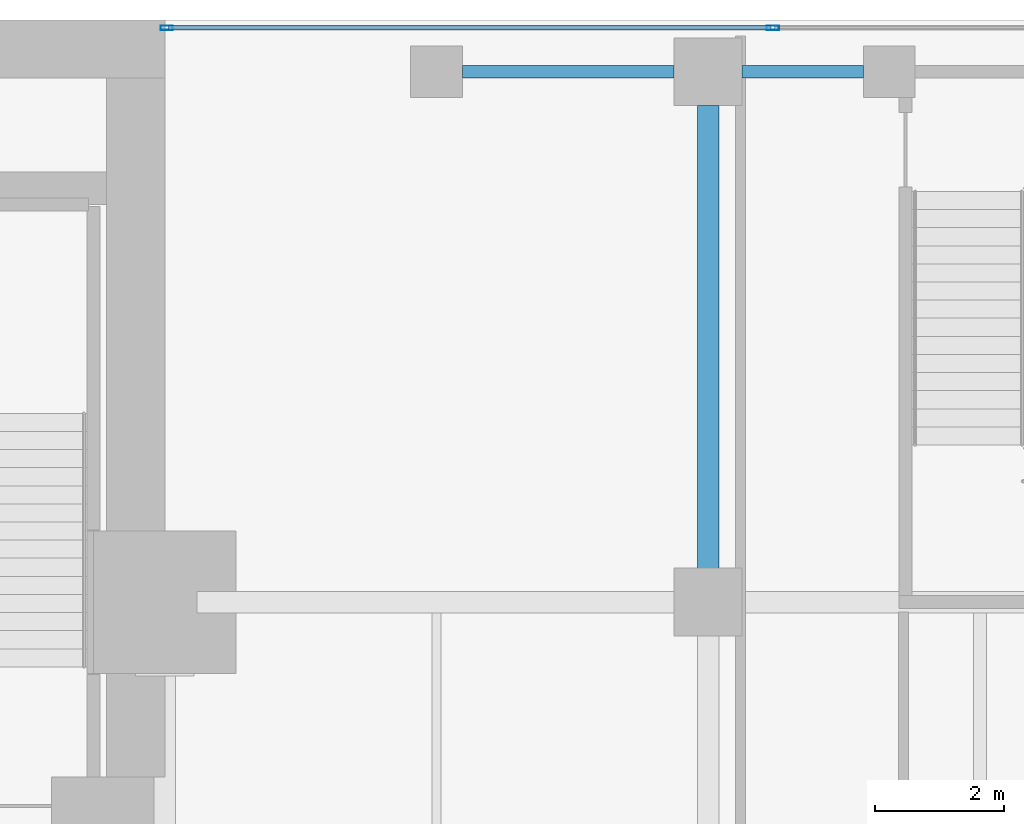
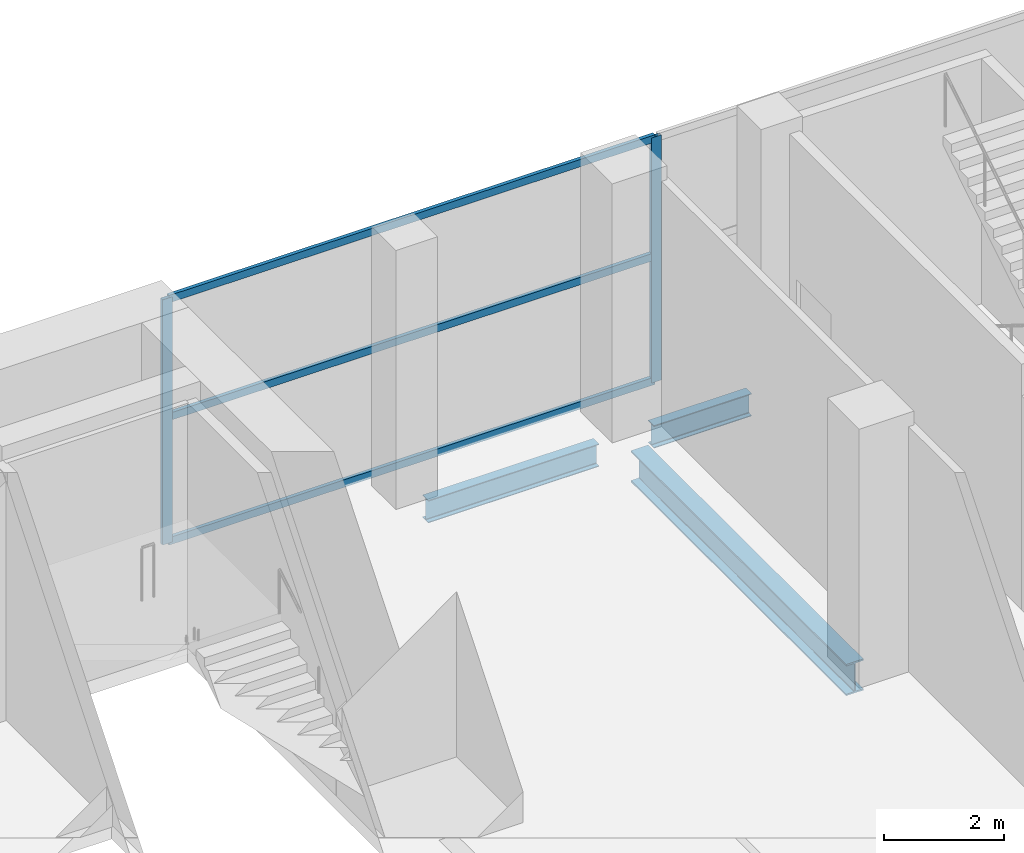
# One storey, part 23 of 40: 5 members, 3 beams, 1 element without a shape of its own.
"""IFC4 building model written with IfcOpenShell, lengths in metres."""

from ifc_helpers import new_model, si_unit, direction, frame, origin, origin_2d, place, context, subcontext, project, spatial, hollow_rectangle, i_section, extrude, material, layer, layer_set, material_profile, profile_set, type_object, element, aggregate, save


model = new_model("IFC4")

# Units and contexts
model_context = context("Model", 3, precision=1e-05, world=origin(), true_north=direction((0.0, 1.0)))
body_context = subcontext(model_context, "Body", "Model", "MODEL_VIEW")
ifc_project = project(units=[si_unit("LENGTHUNIT", "METRE"), si_unit("AREAUNIT", "SQUARE_METRE"), si_unit("VOLUMEUNIT", "CUBIC_METRE"), si_unit("PLANEANGLEUNIT", "RADIAN"), si_unit("MASSUNIT", "GRAM", prefix="KILO")], contexts=[model_context])

# Site, building, storey
site_placement = place(None, origin())
site = spatial("IfcSite", under=ifc_project, at=site_placement, CompositionType="ELEMENT")
building_placement = place(site_placement, origin())
building = spatial("IfcBuilding", under=site, at=building_placement, Name="Maruvema Waterfront Hotel and Observation Tower", CompositionType="ELEMENT")
storey_placement = place(building_placement, frame((0.0, 0.0, 5.60009765625)))
storey = spatial("IfcBuildingStorey", under=building, at=storey_placement, Name="L01", CompositionType="ELEMENT", Elevation=5.60009765625)

# Curtain wall, members
ifc_material_1 = material(Name="Anodised bronze aluminium and solar-control low-E IGU", Category="aluminium")
ifc_layer = layer(ifc_material_1, 0.159912109375, Name="Podium Waterfront Storefront Curtain Wall System CW-01")
ifc_layer_set = layer_set([ifc_layer], Name="Anodised bronze aluminium and solar-control low-E IGU")
curtain_wall_type = type_object("IfcCurtainWallType", Name="Podium Waterfront Storefront Curtain Wall System CW-01", PredefinedType="USERDEFINED", material=ifc_layer_set)
curtain_wall_placement = place(storey_placement, origin())
curtain_wall = element("IfcCurtainWall", 1, at=curtain_wall_placement, inside=storey, type_object=curtain_wall_type, Name="L01 Curtain Wall CW-L01-NE", ObjectType="UNITISED CURTAIN WALL", PredefinedType="USERDEFINED")
ifc_material_2 = material(Name="Anodised architectural bronze aluminium", Category="aluminium")
ifc_material_profile_1 = material_profile(ifc_material_2, hollow_rectangle(XDim=0.070068359375, YDim=0.14990234375, WallThickness=0.00390625, at=origin_2d()), Name="ALU-T70x150")
ifc_profile_set_1 = profile_set([ifc_material_profile_1], Name="Anodised architectural bronze aluminium")
member_type_1 = type_object("IfcMemberType", Name="Curtain Wall Horizontal Transom ALU-T70x150", PredefinedType="USERDEFINED", material=ifc_profile_set_1)
member_1_placement = place(storey_placement, frame((59.77001953125, 53.8798828125, 0.02978515625), z_axis=(-1.0, 0.0, 0.0), x_axis=(0.0, -1.0, 0.0)))
member_1 = element("IfcMember", 2, at=member_1_placement, type_object=member_type_1, Name="CW-01 transom 2.1", ObjectType="TRANSOM", PredefinedType="USERDEFINED", context=body_context, shape_type="SweptSolid", body=[
    extrude(hollow_rectangle(XDim=0.070068359375, YDim=0.14990234375, WallThickness=0.00390625, at=origin_2d()), origin(), (0.0, 0.0, 1.0), 9.31005859375),
])
member_2_placement = place(storey_placement, frame((59.77001953125, 53.8798828125, 2.5498046875), z_axis=(-1.0, 0.0, 0.0), x_axis=(0.0, -1.0, 0.0)))
member_2 = element("IfcMember", 3, at=member_2_placement, type_object=member_type_1, Name="CW-01 transom 2.2", ObjectType="TRANSOM", PredefinedType="USERDEFINED", context=body_context, shape_type="SweptSolid", body=[
    extrude(hollow_rectangle(XDim=0.070068359375, YDim=0.14990234375, WallThickness=0.00390625, at=origin_2d()), origin(), (0.0, 0.0, 1.0), 9.31005859375),
])
member_3_placement = place(storey_placement, frame((59.77001953125, 53.8798828125, 4.93994140625), z_axis=(-1.0, 0.0, 0.0), x_axis=(0.0, -1.0, 0.0)))
member_3 = element("IfcMember", 4, at=member_3_placement, type_object=member_type_1, Name="CW-01 transom 2.3", ObjectType="TRANSOM", PredefinedType="USERDEFINED", context=body_context, shape_type="SweptSolid", body=[
    extrude(hollow_rectangle(XDim=0.070068359375, YDim=0.14990234375, WallThickness=0.00390625, at=origin_2d()), origin(), (0.0, 0.0, 1.0), 9.31005859375),
])

# Beams
ifc_material_3 = material(Name="Steel ASTM A572 Grade 50", Category="steel")
ifc_material_profile_2 = material_profile(ifc_material_3, i_section(OverallWidth=0.18994140625, OverallDepth=0.45703125, WebThickness=0.009033203125, FlangeThickness=0.014404296875, FilletRadius=0.014892578125, at=origin_2d()), Name="W460x74.0")
ifc_profile_set_2 = profile_set([ifc_material_profile_2], Name="Steel ASTM A572 Grade 50")
beam_type_1 = type_object("IfcBeamType", Name="Perimeter Spandrel Beam W460x74.0", PredefinedType="SPANDREL", material=ifc_profile_set_2)
beam_1_placement = place(storey_placement, frame((55.0, 53.199951171875, -0.508544921875), z_axis=(1.0, 0.0, 0.0), x_axis=(0.0, 1.0, 0.0)))
element("IfcBeam", 5, at=beam_1_placement, inside=storey, type_object=beam_type_1, Name="L01 Floor Girder EW-38", PredefinedType="SPANDREL", context=body_context, shape_type="SweptSolid", body=[
    extrude(i_section(OverallWidth=0.18994140625, OverallDepth=0.45703125, WebThickness=0.009033203125, FlangeThickness=0.014404296875, FilletRadius=0.014892578125, at=origin_2d()), origin(), (0.0, 0.0, 1.0), 3.27490234375),
])
beam_2_placement = place(storey_placement, frame((59.324951171875, 53.199951171875, -0.508544921875), z_axis=(1.0, 0.0, 0.0), x_axis=(0.0, 1.0, 0.0)))
element("IfcBeam", 6, at=beam_2_placement, inside=storey, type_object=beam_type_1, Name="L01 Floor Girder EW-39", PredefinedType="SPANDREL", context=body_context, shape_type="SweptSolid", body=[
    extrude(i_section(OverallWidth=0.18994140625, OverallDepth=0.45703125, WebThickness=0.009033203125, FlangeThickness=0.014404296875, FilletRadius=0.014892578125, at=origin_2d()), origin(), (0.0, 0.0, 1.0), 1.875),
])

# Member
ifc_material_4 = material(Name="Anodised architectural bronze aluminium", Category="aluminium")
ifc_material_profile_3 = material_profile(ifc_material_4, hollow_rectangle(XDim=0.070068359375, YDim=0.18994140625, WallThickness=0.00390625, at=origin_2d()), Name="ALU-M70x190")
ifc_profile_set_3 = profile_set([ifc_material_profile_3], Name="Anodised architectural bronze aluminium")
member_type_2 = type_object("IfcMemberType", Name="Podium Storefront Heavy Mullion ALU-M70x190", PredefinedType="MULLION", material=ifc_profile_set_3)
member_4_placement = place(storey_placement, frame((59.800048828125, 53.8798828125, 0.0), z_axis=(0.0, 0.0, 1.0), x_axis=(0.0, -1.0, 0.0)))
member_4 = element("IfcMember", 7, at=member_4_placement, type_object=member_type_2, Name="CW-01 mullion 2", PredefinedType="MULLION", context=body_context, shape_type="SweptSolid", body=[
    extrude(hollow_rectangle(XDim=0.070068359375, YDim=0.18994140625, WallThickness=0.00390625, at=origin_2d()), origin(), (0.0, 0.0, 1.0), 4.969970703125),
])

member_5_placement = place(storey_placement, frame((50.429931640625, 53.8798828125, 0.0), z_axis=(0.0, 0.0, 1.0), x_axis=(0.0, -1.0, 0.0)))
member_5 = element("IfcMember", 8, at=member_5_placement, type_object=member_type_2, Name="CW-01 mullion 3", PredefinedType="MULLION", context=body_context, shape_type="SweptSolid", body=[
    extrude(hollow_rectangle(XDim=0.070068359375, YDim=0.18994140625, WallThickness=0.00390625, at=origin_2d()), origin(), (0.0, 0.0, 1.0), 4.969970703125),
])

aggregate(curtain_wall, [member_4, member_5, member_1, member_2, member_3])

# Beam
ifc_material_5 = material(Name="Steel ASTM A572 Grade 50", Category="steel")
ifc_material_profile_4 = material_profile(ifc_material_5, i_section(OverallWidth=0.3291015625, OverallDepth=0.635009765625, WebThickness=0.017822265625, FlangeThickness=0.031005859375, FilletRadius=0.01806640625, at=origin_2d()), Name="W610x241.0")
ifc_profile_set_4 = profile_set([ifc_material_profile_4], Name="Steel ASTM A572 Grade 50")
beam_type_2 = type_object("IfcBeamType", Name="Primary Floor Girder W610x241.0", PredefinedType="BEAM", material=ifc_profile_set_4)
beam_3_placement = place(storey_placement, frame((58.800048828125, 45.52490234375, -0.59765625), z_axis=(0.0, 1.0, 0.0), x_axis=(-1.0, 0.0, 0.0)))
element("IfcBeam", 9, at=beam_3_placement, inside=storey, type_object=beam_type_2, Name="L01 Floor Girder NS-28", PredefinedType="BEAM", context=body_context, shape_type="SweptSolid", body=[
    extrude(i_section(OverallWidth=0.3291015625, OverallDepth=0.635009765625, WebThickness=0.017822265625, FlangeThickness=0.031005859375, FilletRadius=0.01806640625, at=origin_2d()), origin(), (0.0, 0.0, 1.0), 7.150146484375),
])

save(model, "model.ifc")
